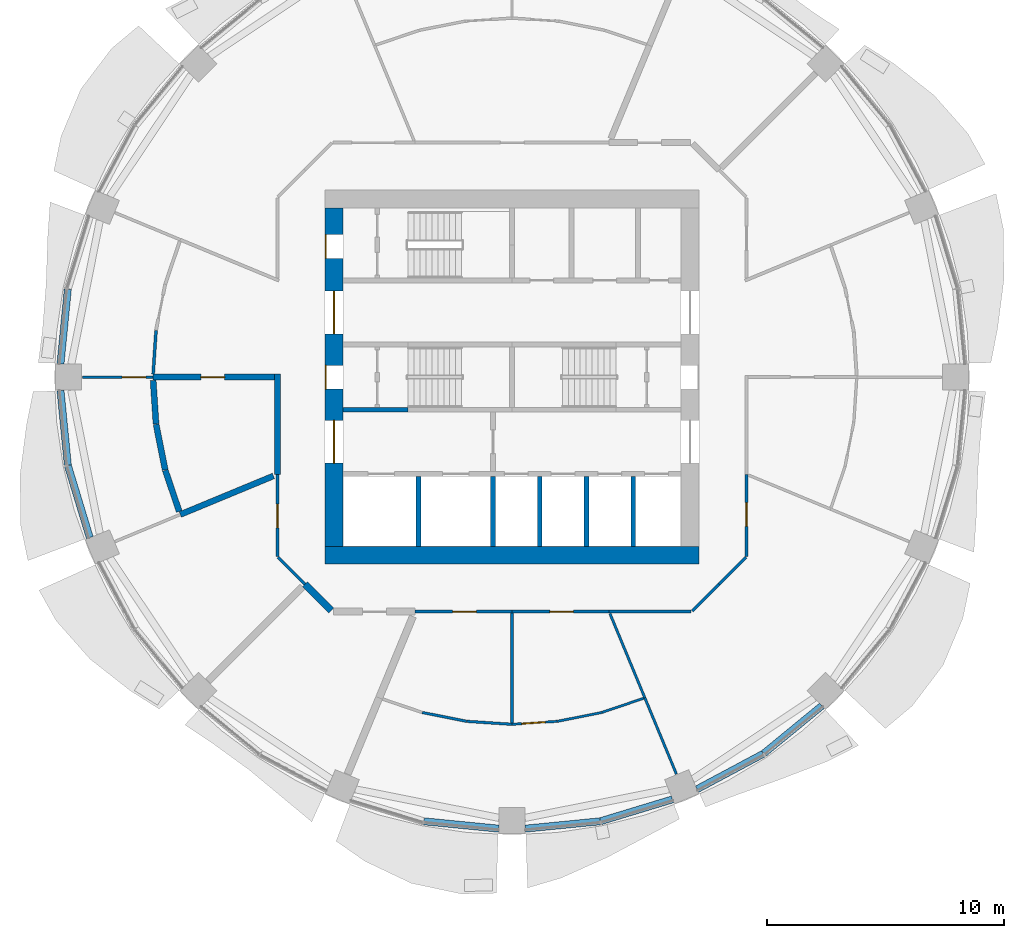
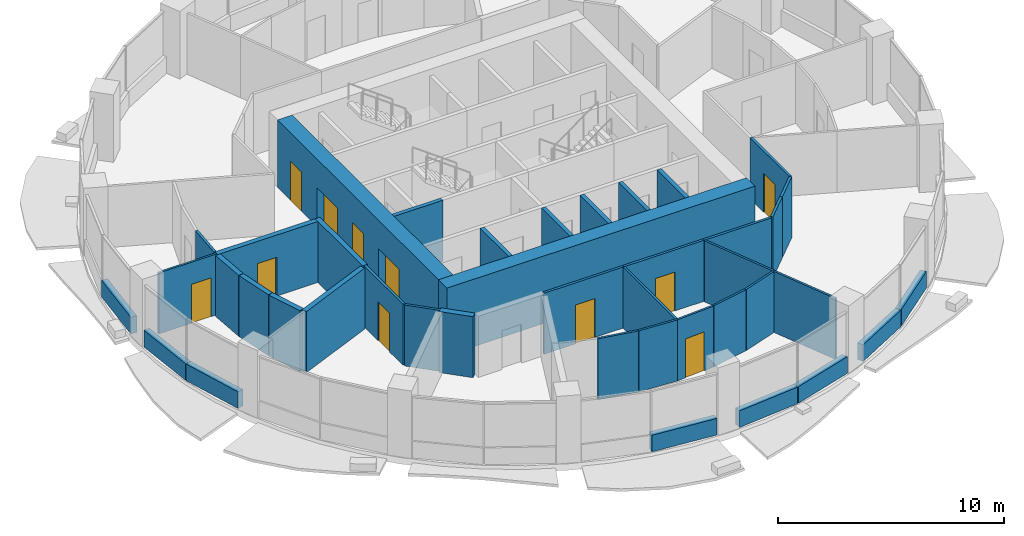
# One storey, part 7 of 14: 41 walls, 11 doors, 11 openings.
"""IFC4 building model written with IfcOpenShell, lengths in metres."""

import ifcopenshell
import ifcopenshell.guid

model = None  # the IFC model being written
_history = None  # IfcOwnerHistory: only IFC2X3 demands one
_inside = {}  # id of a spatial element -> (the spatial element, [elements in it])
_under = {}  # id of a project, library or spatial element -> (it, [spatial elements below it])
_declared = {}  # id of a project -> (the project, [libraries it declares])
_typed = {}  # id of a type object -> (the type object, [elements of that type])
_made_of = {}  # id of a material, layer set ... -> (it, [elements and type objects made of it])


def new_model(schema):
    """Start an empty IFC model of exactly this schema.

    Asked for "IFC4X3", IfcOpenShell would pick the latest addendum, in which some entities
    have other attributes; the version numbers below select the first issue.
    IFC2X3 requires an IfcOwnerHistory on every rooted entity: one is made here for all.
    """
    global model, _history
    if schema == "IFC4X3":
        model = ifcopenshell.file(schema_version=(4, 3, 0, 0))
    else:
        model = ifcopenshell.file(schema=schema)
    _inside.clear()
    _under.clear()
    _declared.clear()
    _typed.clear()
    _made_of.clear()
    _history = None
    if model.schema == "IFC2X3":
        org = make("IfcOrganization", Name="unknown")
        user = make(
            "IfcPersonAndOrganization",
            ThePerson=make("IfcPerson", FamilyName="unknown"),
            TheOrganization=org,
        )
        app = make(
            "IfcApplication",
            ApplicationDeveloper=org,
            Version="unknown",
            ApplicationFullName="unknown",
            ApplicationIdentifier="unknown",
        )
        _history = make(
            "IfcOwnerHistory",
            OwningUser=user,
            OwningApplication=app,
            ChangeAction="ADDED",
            CreationDate=0,
        )
    return model


def make(cls, **values):
    """One entity of the class cls with the attributes given. An attribute that is None is left unset."""
    return model.create_entity(
        cls, **{name: value for name, value in values.items() if value is not None}
    )


def rooted(cls, **values):
    """An entity with a GlobalId (a new one), such as an element, a storey or a relation."""
    return make(cls, GlobalId=ifcopenshell.guid.new(), OwnerHistory=_history, **values)


def si_unit(unit_type, name, prefix=None):
    """IfcSIUnit, for example si_unit("LENGTHUNIT", "METRE", prefix="MILLI")."""
    return make("IfcSIUnit", UnitType=unit_type, Prefix=prefix, Name=name)


def assignment(units):
    """IfcUnitAssignment: the units of a project."""
    return None if units is None else make("IfcUnitAssignment", Units=units)


def point(xyz):
    """IfcCartesianPoint."""
    return None if xyz is None else make("IfcCartesianPoint", Coordinates=xyz)


def direction(xyz):
    """IfcDirection."""
    return None if xyz is None else make("IfcDirection", DirectionRatios=xyz)


def frame(location, z_axis=None, x_axis=None):
    """IfcAxis2Placement3D, a coordinate frame: its origin and axes. An axis left out is left unset."""
    return make(
        "IfcAxis2Placement3D",
        Location=point(location),
        Axis=direction(z_axis),
        RefDirection=direction(x_axis),
    )


def frame_2d(location, x_axis=None):
    """IfcAxis2Placement2D, a coordinate frame in the plane: its origin and x axis."""
    return make(
        "IfcAxis2Placement2D", Location=point(location), RefDirection=direction(x_axis)
    )


def origin():
    """The frame at (0, 0, 0) with its axes left unset."""
    return frame((0.0, 0.0, 0.0))


def place(relative_to, where):
    """IfcLocalPlacement: puts the frame where relative to a parent placement (None: the world)."""
    return make(
        "IfcLocalPlacement", PlacementRelTo=relative_to, RelativePlacement=where
    )


def context(
    kind, dimensions, precision=None, world=None, true_north=None, identifier=None
):
    """IfcGeometricRepresentationContext, for example the 3D "Model" context."""
    return make(
        "IfcGeometricRepresentationContext",
        ContextIdentifier=identifier,
        ContextType=kind,
        CoordinateSpaceDimension=dimensions,
        Precision=precision,
        WorldCoordinateSystem=world,
        TrueNorth=true_north,
    )


def subcontext(parent, identifier, kind, view, scale=None):
    """IfcGeometricRepresentationSubContext, for example "Body" below "Model"."""
    return make(
        "IfcGeometricRepresentationSubContext",
        ContextIdentifier=identifier,
        ContextType=kind,
        ParentContext=parent,
        TargetScale=scale,
        TargetView=view,
    )


def project(units=None, contexts=None):
    """IfcProject with its units and contexts."""
    return rooted(
        "IfcProject",
        Name="project",
        RepresentationContexts=contexts,
        UnitsInContext=assignment(units),
    )


def spatial(cls, under=None, at=None, **own):
    """A site, building, storey or space (cls), placed at a placement, below another one or the project."""
    s = rooted(cls, ObjectPlacement=at, **own)
    if under is not None:
        _under.setdefault(under.id(), (under, []))[1].append(s)
    return s


def profile(cls, at=None, kind="AREA", **sizes):
    """A parametric profile (cls). Its sizes go by their IFC names, for example OverallWidth=200.0."""
    return make(cls, ProfileType=kind, Position=at, **sizes)


def rectangle(**sizes):
    """IfcRectangleProfileDef."""
    return profile("IfcRectangleProfileDef", **sizes)


def extrude(swept, where, along, depth):
    """IfcExtrudedAreaSolid: the profile swept, set in the frame where, extruded along a direction by depth."""
    return make(
        "IfcExtrudedAreaSolid",
        SweptArea=swept,
        Position=where,
        ExtrudedDirection=direction(along),
        Depth=depth,
    )


def shape(context_of_items, identifier, shape_type, items):
    """IfcShapeRepresentation: the items that make up one representation, for example the "Body"."""
    return make(
        "IfcShapeRepresentation",
        ContextOfItems=context_of_items,
        RepresentationIdentifier=identifier,
        RepresentationType=shape_type,
        Items=items,
    )


def material(Name=None, Category=None):
    """IfcMaterial."""
    return make("IfcMaterial", Name=Name, Category=Category)


def layer(
    of_material, thickness, ventilated=None, Name=None, Category=None, Priority=None
):
    """IfcMaterialLayer: one layer of a wall or slab, of a material (None: an air gap)."""
    return make(
        "IfcMaterialLayer",
        Material=of_material,
        LayerThickness=thickness,
        IsVentilated=ventilated,
        Name=Name,
        Category=Category,
        Priority=Priority,
    )


def layer_set(layers, Name=None):
    """IfcMaterialLayerSet."""
    return make("IfcMaterialLayerSet", MaterialLayers=layers, LayerSetName=Name)


def made_of(thing, what):
    """Note that an element or type object is made of a material, layer set ...; save() writes the relation."""
    if what is not None:
        _made_of.setdefault(what.id(), (what, []))[1].append(thing)
    return thing


def type_object(cls, material=None, **own):
    """A type object (cls), such as IfcWallType, which elements share."""
    return made_of(rooted(cls, **own), material)


def element(
    cls,
    number,
    at=None,
    inside=None,
    cuts=None,
    type_object=None,
    material=None,
    context=None,
    identifier="Body",
    shape_type=None,
    held_by="IfcProductDefinitionShape",
    body=None,
    shapes=None,
    **own,
):
    """One element of the class cls, such as IfcWall. Its Tag is "e" and its number.

    at: its placement. inside: the storey or other place that contains it. cuts: it is an
    opening in that element (IfcRelVoidsElement). A single representation is given by context,
    identifier, shape_type and body (its items); several are given by shapes. held_by: the class
    of the entity that holds the representations. save() writes the other relations.
    """
    e = rooted(cls, Tag="e%d" % number, ObjectPlacement=at, **own)
    if body is not None:
        shapes = [shape(context, identifier, shape_type, body)]
    if shapes is not None:
        e.Representation = make(held_by, Representations=shapes)
    if inside is not None:
        _inside.setdefault(inside.id(), (inside, []))[1].append(e)
    if cuts is not None:
        rooted(
            "IfcRelVoidsElement", RelatingBuildingElement=cuts, RelatedOpeningElement=e
        )
    if type_object is not None:
        _typed.setdefault(type_object.id(), (type_object, []))[1].append(e)
    return made_of(e, material)


def fill(opening, filler):
    """IfcRelFillsElement: the door or window that sits in an opening."""
    return rooted(
        "IfcRelFillsElement",
        RelatingOpeningElement=opening,
        RelatedBuildingElement=filler,
    )


def aggregate(whole, parts):
    """IfcRelAggregates: a whole, such as a stair, and the parts it consists of."""
    return rooted("IfcRelAggregates", RelatingObject=whole, RelatedObjects=parts)


def save(model, path):
    """Write the relations noted so far, then the file.

    IfcRelAggregates (storeys below a building ...), IfcRelContainedInSpatialStructure (elements
    in a storey), IfcRelDefinesByType, IfcRelAssociatesMaterial and IfcRelDeclares: one each for
    every whole, place, type object, material and project.
    """
    for whole, parts in _under.values():
        aggregate(whole, parts)
    for where, things in _inside.values():
        rooted(
            "IfcRelContainedInSpatialStructure",
            RelatedElements=things,
            RelatingStructure=where,
        )
    for kind, things in _typed.values():
        rooted("IfcRelDefinesByType", RelatedObjects=things, RelatingType=kind)
    for what, things in _made_of.values():
        rooted("IfcRelAssociatesMaterial", RelatedObjects=things, RelatingMaterial=what)
    for by, libraries in _declared.values():
        rooted("IfcRelDeclares", RelatingContext=by, RelatedDefinitions=libraries)
    model.write(path)


model = new_model("IFC4")

# Units and contexts
model_context = context("Model", 3, precision=1e-05, world=origin(), true_north=direction((0.0, 1.0)))
body_context = subcontext(model_context, "Body", "Model", "MODEL_VIEW")
ifc_project = project(units=[si_unit("LENGTHUNIT", "METRE"), si_unit("AREAUNIT", "SQUARE_METRE"), si_unit("VOLUMEUNIT", "CUBIC_METRE"), si_unit("PLANEANGLEUNIT", "RADIAN"), si_unit("MASSUNIT", "GRAM", prefix="KILO")], contexts=[model_context])

# Site, building, storey
site_placement = place(None, origin())
site = spatial("IfcSite", under=ifc_project, at=site_placement, CompositionType="ELEMENT")
building_placement = place(site_placement, origin())
building = spatial("IfcBuilding", under=site, at=building_placement, Name="Polderwave Tower", CompositionType="ELEMENT")
storey_placement = place(building_placement, frame((0.0, 0.0, 101.949951171875)))
storey = spatial("IfcBuildingStorey", under=building, at=storey_placement, Name="L26", CompositionType="ELEMENT", Elevation=101.949951171875)

# Wall
ifc_material_1 = material(Name="Concrete C70/85", Category="concrete")
ifc_layer_1 = layer(ifc_material_1, 0.75)
ifc_layer_set_1 = layer_set([ifc_layer_1], Name="CORE WALL 750 C70/85")
wall_type_1 = type_object("IfcWallType", Name="CORE WALL 750 C70/85", PredefinedType="SHEAR", material=ifc_layer_set_1)
wall_1_placement = place(storey_placement, frame((-7.8740234375, -7.4990234375, 0.0), z_axis=(0.0, 0.0, 1.0), x_axis=(1.0, 0.0, 0.0)))
element("IfcWall", 1, at=wall_1_placement, inside=storey, type_object=wall_type_1, Name="ST-CORE-L26-S", PredefinedType="SHEAR", context=body_context, shape_type="SweptSolid", body=[
    extrude(rectangle(XDim=15.748046875, YDim=0.75, at=frame_2d((7.8740234375, 0.0))), origin(), (0.0, 0.0, 1.0), 3.650146484375),
])

# Wall, openings, doors
wall_2_placement = place(storey_placement, frame((-7.4990234375, -7.1240234375, 0.0), z_axis=(0.0, 0.0, 1.0), x_axis=(0.0, 1.0, 0.0)))
wall_2 = element("IfcWall", 2, at=wall_2_placement, inside=storey, type_object=wall_type_1, Name="ST-CORE-L26-W", PredefinedType="SHEAR", context=body_context, shape_type="SweptSolid", body=[
    extrude(rectangle(XDim=14.248046875, YDim=0.75, at=frame_2d((7.1240234375, 0.0))), origin(), (0.0, 0.0, 1.0), 3.650146484375),
])
opening_1_placement = place(wall_2_placement, frame((6.6240234375, 0.0, 0.0)))
opening_1 = element("IfcOpeningElement", 3, at=opening_1_placement, cuts=wall_2, Name="Opening L26-D17", PredefinedType="OPENING", context=body_context, shape_type="SweptSolid", body=[
    extrude(rectangle(XDim=1.0, YDim=2.10009765625, at=frame_2d((0.5, 1.050048828125))), frame((0.0, 0.385009765625, 0.0), z_axis=(0.0, -1.0, 0.0), x_axis=(1.0, 0.0, 0.0)), (0.0, 0.0, 1.0), 0.77001953125),
])
opening_2_placement = place(wall_2_placement, frame((3.49951171875, 0.0, 0.0)))
opening_2 = element("IfcOpeningElement", 4, at=opening_2_placement, cuts=wall_2, Name="Opening L26-D18", PredefinedType="OPENING", context=body_context, shape_type="SweptSolid", body=[
    extrude(rectangle(XDim=1.800048828125, YDim=2.10009765625, at=frame_2d((0.89990234375, 1.050048828125))), frame((0.0, 0.385009765625, 0.0), z_axis=(0.0, -1.0, 0.0), x_axis=(1.0, 0.0, 0.0)), (0.0, 0.0, 1.0), 0.77001953125),
])
opening_3_placement = place(wall_2_placement, frame((8.948486328125, 0.0, 0.0)))
opening_3 = element("IfcOpeningElement", 5, at=opening_3_placement, cuts=wall_2, Name="Opening L26-D19", PredefinedType="OPENING", context=body_context, shape_type="SweptSolid", body=[
    extrude(rectangle(XDim=1.800048828125, YDim=2.10009765625, at=frame_2d((0.89990234375, 1.050048828125))), frame((0.0, 0.385009765625, 0.0), z_axis=(0.0, -1.0, 0.0), x_axis=(1.0, 0.0, 0.0)), (0.0, 0.0, 1.0), 0.77001953125),
])
opening_4_placement = place(wall_2_placement, frame((12.1240234375, 0.0, 0.0)))
opening_4 = element("IfcOpeningElement", 6, at=opening_4_placement, cuts=wall_2, Name="Opening L26-D20", PredefinedType="OPENING", context=body_context, shape_type="SweptSolid", body=[
    extrude(rectangle(XDim=1.0, YDim=2.10009765625, at=frame_2d((0.5, 1.050048828125))), frame((0.0, 0.385009765625, 0.0), z_axis=(0.0, -1.0, 0.0), x_axis=(1.0, 0.0, 0.0)), (0.0, 0.0, 1.0), 0.77001953125),
])
ifc_material_2 = material(Name="Steel fire door", Category="steel")
door_type_1 = type_object("IfcDoorType", Name="Lobby entry door pair 1800", OperationType="DOUBLE_DOOR_SINGLE_SWING", PredefinedType="DOOR", material=ifc_material_2)
door_1_placement = place(opening_2_placement, origin())
door_1 = element("IfcDoor", 7, at=door_1_placement, inside=storey, type_object=door_type_1, Name="Fire-fighting lobby entry door", OperationType="DOUBLE_DOOR_SINGLE_SWING", OverallHeight=2.10009765625, OverallWidth=1.800048828125, PredefinedType="DOOR", context=body_context, shape_type="SweptSolid", body=[
    extrude(rectangle(XDim=1.800048828125, YDim=2.10009765625, at=frame_2d((0.89990234375, 1.050048828125))), frame((0.0, 0.02490234375, 0.0), z_axis=(0.0, -1.0, 0.0), x_axis=(1.0, 0.0, 0.0)), (0.0, 0.0, 1.0), 0.050048828125),
])
fill(opening_2, door_1)
door_2_placement = place(opening_3_placement, origin())
door_2 = element("IfcDoor", 8, at=door_2_placement, inside=storey, type_object=door_type_1, Name="North lobby entry door", OperationType="DOUBLE_DOOR_SINGLE_SWING", OverallHeight=2.10009765625, OverallWidth=1.800048828125, PredefinedType="DOOR", context=body_context, shape_type="SweptSolid", body=[
    extrude(rectangle(XDim=1.800048828125, YDim=2.10009765625, at=frame_2d((0.89990234375, 1.050048828125))), frame((0.0, 0.02490234375, 0.0), z_axis=(0.0, -1.0, 0.0), x_axis=(1.0, 0.0, 0.0)), (0.0, 0.0, 1.0), 0.050048828125),
])
fill(opening_3, door_2)
door_type_2 = type_object("IfcDoorType", Name="Stair door 1000", OperationType="NOTDEFINED", PredefinedType="DOOR", material=ifc_material_2)
door_3_placement = place(opening_1_placement, origin())
door_3 = element("IfcDoor", 9, at=door_3_placement, inside=storey, type_object=door_type_2, Name="Stair A entry door", OperationType="SINGLE_SWING_RIGHT", OverallHeight=2.10009765625, OverallWidth=1.0, PredefinedType="DOOR", context=body_context, shape_type="SweptSolid", body=[
    extrude(rectangle(XDim=1.0, YDim=2.10009765625, at=frame_2d((0.5, 1.050048828125))), frame((0.0, 0.375, 0.0), z_axis=(0.0, -1.0, 0.0), x_axis=(1.0, 0.0, 0.0)), (0.0, 0.0, 1.0), 0.050048828125),
])
fill(opening_1, door_3)
door_4_placement = place(opening_4_placement, origin())
door_4 = element("IfcDoor", 10, at=door_4_placement, inside=storey, type_object=door_type_2, Name="Stair C entry door", OperationType="SINGLE_SWING_RIGHT", OverallHeight=2.10009765625, OverallWidth=1.0, PredefinedType="DOOR", context=body_context, shape_type="SweptSolid", body=[
    extrude(rectangle(XDim=1.0, YDim=2.10009765625, at=frame_2d((0.5, 1.050048828125))), frame((0.0, 0.375, 0.0), z_axis=(0.0, -1.0, 0.0), x_axis=(1.0, 0.0, 0.0)), (0.0, 0.0, 1.0), 0.050048828125),
])
fill(opening_4, door_4)

# Walls
ifc_material_3 = material(Name="Insulated sandwich panel")
ifc_layer_2 = layer(ifc_material_3, 0.300048828125)
ifc_layer_set_2 = layer_set([ifc_layer_2], Name="Cold room wall 300 mm insulated panel")
wall_type_2 = type_object("IfcWallType", Name="Cold room wall 300 mm insulated panel", PredefinedType="PARTITIONING", material=ifc_layer_set_2)
wall_3_placement = place(storey_placement, frame((-7.614990234375, -9.830078125, 0.0), z_axis=(0.0, 0.0, 1.0), x_axis=(-0.707028841614, 0.70718471217, 0.0)))
element("IfcWall", 11, at=wall_3_placement, inside=storey, type_object=wall_type_2, Name="IN-L26-W016", PredefinedType="PARTITIONING", context=body_context, shape_type="SweptSolid", body=[
    extrude(rectangle(XDim=1.56640625, YDim=0.300048828125, at=frame_2d((0.783203125, 0.0))), origin(), (0.0, 0.0, 1.0), 3.300048828125),
])
ifc_material_4 = material(Name="Concrete C50/60 (board-marked)", Category="concrete")
ifc_layer_3 = layer(ifc_material_4, 0.300048828125)
ifc_layer_set_3 = layer_set([ifc_layer_3], Name="Concrete spandrel upstand C50/60")
wall_type_3 = type_object("IfcWallType", Name="Concrete spandrel upstand C50/60", PredefinedType="SOLIDWALL", material=ifc_layer_set_3)
for number, where, z_axis, x_axis, name in (
    (12, (-18.70556640625, 3.705078125, 0.0), (0.0, 0.0, 1.0), (-0.097849336863, -0.995201239587, 0.0), "Spandrel L26 8b"),
    (13, (-19.014404296875, -0.56396484375, 0.0), (0.0, 0.0, 1.0), (0.097849336863, -0.995201239587, 0.0), "Spandrel L26 9a"),
):
    element("IfcWall", number, at=place(storey_placement, frame(where, z_axis=z_axis, x_axis=x_axis)), inside=storey, type_object=wall_type_3, Name=name, PredefinedType="SOLIDWALL", context=body_context, shape_type="SweptSolid", body=[
        extrude(rectangle(XDim=3.15625, YDim=0.300048828125, at=frame_2d((1.578125, 0.0))), origin(), (0.0, 0.0, 1.0), 0.900146484375),
    ])
wall_4_placement = place(storey_placement, frame((-18.69970703125, -3.734375, 0.0), z_axis=(0.0, 0.0, 1.0), x_axis=(0.290503096001, -0.956874051907, 0.0)))
element("IfcWall", 14, at=wall_4_placement, inside=storey, type_object=wall_type_3, Name="Spandrel L26 9b", PredefinedType="SOLIDWALL", context=body_context, shape_type="SweptSolid", body=[
    extrude(rectangle(XDim=3.157470703125, YDim=0.300048828125, at=frame_2d((1.57861328125, 0.0))), origin(), (0.0, 0.0, 1.0), 0.900146484375),
])
for number, where, z_axis, x_axis, name in (
    (15, (-3.705078125, -18.70556640625, 0.0), (0.0, 0.0, 1.0), (0.995201239587, -0.097849336863, 0.0), "Spandrel L26 12b"),
    (16, (0.56396484375, -19.014404296875, 0.0), (0.0, 0.0, 1.0), (0.995201239587, 0.097849336863, 0.0), "Spandrel L26 13a"),
):
    element("IfcWall", number, at=place(storey_placement, frame(where, z_axis=z_axis, x_axis=x_axis)), inside=storey, type_object=wall_type_3, Name=name, PredefinedType="SOLIDWALL", context=body_context, shape_type="SweptSolid", body=[
        extrude(rectangle(XDim=3.15625, YDim=0.300048828125, at=frame_2d((1.578125, 0.0))), origin(), (0.0, 0.0, 1.0), 0.900146484375),
    ])
wall_5_placement = place(storey_placement, frame((3.734375, -18.69970703125, 0.0), z_axis=(0.0, 0.0, 1.0), x_axis=(0.956874051907, 0.290503096001, 0.0)))
element("IfcWall", 17, at=wall_5_placement, inside=storey, type_object=wall_type_3, Name="Spandrel L26 13b", PredefinedType="SOLIDWALL", context=body_context, shape_type="SweptSolid", body=[
    extrude(rectangle(XDim=3.157470703125, YDim=0.300048828125, at=frame_2d((1.57861328125, 0.0))), origin(), (0.0, 0.0, 1.0), 0.900146484375),
])
for number, where, z_axis, x_axis, name in (
    (18, (7.797119140625, -17.350830078125, 0.0), (0.0, 0.0, 1.0), (0.882005928597, 0.471238306932, 0.0), "Spandrel L26 14a"),
    (19, (10.606689453125, -15.846435546875, 0.0), (0.0, 0.0, 1.0), (0.773022810229, 0.63437822698, 0.0), "Spandrel L26 14b"),
):
    element("IfcWall", number, at=place(storey_placement, frame(where, z_axis=z_axis, x_axis=x_axis)), inside=storey, type_object=wall_type_3, Name=name, PredefinedType="SOLIDWALL", context=body_context, shape_type="SweptSolid", body=[
        extrude(rectangle(XDim=3.1572265625, YDim=0.300048828125, at=frame_2d((1.57861328125, 0.0))), origin(), (0.0, 0.0, 1.0), 0.900146484375),
    ])
ifc_material_5 = material(Name="Concrete C50/60", Category="concrete")
ifc_layer_4 = layer(ifc_material_5, 0.199951171875)
ifc_layer_set_4 = layer_set([ifc_layer_4], Name="Core web wall 200")
wall_type_4 = type_object("IfcWallType", Name="Core web wall 200", PredefinedType="SHEAR", material=ifc_layer_set_4)
wall_6_placement = place(storey_placement, frame((-7.1240234375, -1.375, 0.0), z_axis=(0.0, 0.0, 1.0), x_axis=(1.0, 0.0, 0.0)))
element("IfcWall", 20, at=wall_6_placement, inside=storey, type_object=wall_type_4, Name="L26 south stair wall 1", PredefinedType="SHEAR", context=body_context, shape_type="SweptSolid", body=[
    extrude(rectangle(XDim=2.75, YDim=0.199951171875, at=frame_2d((1.375, 0.0))), origin(), (0.0, 0.0, 1.0), 3.300048828125),
])
ifc_material_6 = material(Name="Fire-resisting board on steel studs", Category="steel")
ifc_layer_5 = layer(ifc_material_6, 0.125)
ifc_layer_set_5 = layer_set([ifc_layer_5], Name="Corridor wall 125 mm EI 60")
wall_type_5 = type_object("IfcWallType", Name="Corridor wall 125 mm EI 60", PredefinedType="PARTITIONING", material=ifc_layer_set_5)
wall_7_placement = place(storey_placement, frame((9.855712890625, -7.58935546875, 0.0), z_axis=(0.0, 0.0, 1.0), x_axis=(-0.70718294931, -0.707030604857, 0.0)))
element("IfcWall", 21, at=wall_7_placement, inside=storey, type_object=wall_type_5, Name="IN-L26-W003", PredefinedType="PARTITIONING", context=body_context, shape_type="SweptSolid", body=[
    extrude(rectangle(XDim=1.6025390625, YDim=0.125, at=frame_2d((0.80126953125, 0.0))), origin(), (0.0, 0.0, 1.0), 3.300048828125),
])

# Wall, opening, door
wall_8_placement = place(storey_placement, frame((9.8740234375, -4.08984375, 0.0), z_axis=(0.0, 0.0, 1.0), x_axis=(0.0, -1.0, 0.0)))
wall_8 = element("IfcWall", 22, at=wall_8_placement, inside=storey, type_object=wall_type_5, Name="IN-L26-W004", PredefinedType="PARTITIONING", context=body_context, shape_type="SweptSolid", body=[
    extrude(rectangle(XDim=3.455322265625, YDim=0.125, at=frame_2d((1.7275390625, 0.0))), origin(), (0.0, 0.0, 1.0), 3.300048828125),
])
opening_5_placement = place(wall_8_placement, frame((1.199951171875, 0.0, 0.0)))
opening_5 = element("IfcOpeningElement", 23, at=opening_5_placement, cuts=wall_8, Name="Opening L26-D51", PredefinedType="OPENING", context=body_context, shape_type="SweptSolid", body=[
    extrude(rectangle(XDim=1.0, YDim=2.10009765625, at=frame_2d((0.5, 1.050048828125))), frame((0.0, 0.072509765625, 0.0), z_axis=(0.0, -1.0, 0.0), x_axis=(1.0, 0.0, 0.0)), (0.0, 0.0, 1.0), 0.14501953125),
])
ifc_material_7 = material(Name="Timber fire door leaf", Category="wood")
door_type_3 = type_object("IfcDoorType", Name="Fire door FD30S 1000 x 2100", OperationType="NOTDEFINED", PredefinedType="DOOR", material=ifc_material_7)
door_5_placement = place(opening_5_placement, origin())
door_5 = element("IfcDoor", 24, at=door_5_placement, inside=storey, type_object=door_type_3, Name="Door L26-D51", OperationType="SINGLE_SWING_LEFT", OverallHeight=2.10009765625, OverallWidth=1.0, PredefinedType="DOOR", context=body_context, shape_type="SweptSolid", body=[
    extrude(rectangle(XDim=1.0, YDim=2.10009765625, at=frame_2d((0.5, 1.050048828125))), frame((0.0, 0.02490234375, 0.0), z_axis=(0.0, -1.0, 0.0), x_axis=(1.0, 0.0, 0.0)), (0.0, 0.0, 1.0), 0.050048828125),
])
fill(opening_5, door_5)

wall_9_placement = place(storey_placement, frame((-9.8740234375, -7.545166015625, 0.0), z_axis=(0.0, 0.0, 1.0), x_axis=(0.0, 1.0, 0.0)))
wall_9 = element("IfcWall", 25, at=wall_9_placement, inside=storey, type_object=wall_type_5, Name="IN-L26-W014", PredefinedType="PARTITIONING", context=body_context, shape_type="SweptSolid", body=[
    extrude(rectangle(XDim=3.455322265625, YDim=0.125, at=frame_2d((1.7275390625, 0.0))), origin(), (0.0, 0.0, 1.0), 3.300048828125),
])
opening_6_placement = place(wall_9_placement, frame((1.199951171875, 0.0, 0.0)))
opening_6 = element("IfcOpeningElement", 26, at=opening_6_placement, cuts=wall_9, Name="Opening L26-D55", PredefinedType="OPENING", context=body_context, shape_type="SweptSolid", body=[
    extrude(rectangle(XDim=1.0, YDim=2.10009765625, at=frame_2d((0.5, 1.050048828125))), frame((0.0, 0.072509765625, 0.0), z_axis=(0.0, -1.0, 0.0), x_axis=(1.0, 0.0, 0.0)), (0.0, 0.0, 1.0), 0.14501953125),
])
door_6_placement = place(opening_6_placement, origin())
door_6 = element("IfcDoor", 27, at=door_6_placement, inside=storey, type_object=door_type_3, Name="Door L26-D55", OperationType="SINGLE_SWING_LEFT", OverallHeight=2.10009765625, OverallWidth=1.0, PredefinedType="DOOR", context=body_context, shape_type="SweptSolid", body=[
    extrude(rectangle(XDim=1.0, YDim=2.10009765625, at=frame_2d((0.5, 1.050048828125))), frame((0.0, 0.02490234375, 0.0), z_axis=(0.0, -1.0, 0.0), x_axis=(1.0, 0.0, 0.0)), (0.0, 0.0, 1.0), 0.050048828125),
])
fill(opening_6, door_6)

# Wall
wall_10_placement = place(storey_placement, frame((-8.722412109375, -8.722412109375, 0.0), z_axis=(0.0, 0.0, 1.0), x_axis=(-0.70718294931, 0.707030604857, 0.0)))
element("IfcWall", 28, at=wall_10_placement, inside=storey, type_object=wall_type_5, Name="IN-L26-W015", PredefinedType="PARTITIONING", context=body_context, shape_type="SweptSolid", body=[
    extrude(rectangle(XDim=1.6025390625, YDim=0.125, at=frame_2d((0.80126953125, 0.0))), origin(), (0.0, 0.0, 1.0), 3.300048828125),
])

# Wall, opening, door
wall_11_placement = place(storey_placement, frame((0.0, -9.8740234375, 0.0), z_axis=(0.0, 0.0, 1.0), x_axis=(-1.0, 0.0, 0.0)))
wall_11 = element("IfcWall", 29, at=wall_11_placement, inside=storey, type_object=wall_type_5, Name="IN-L26-W018", PredefinedType="PARTITIONING", context=body_context, shape_type="SweptSolid", body=[
    extrude(rectangle(XDim=4.08984375, YDim=0.125, at=frame_2d((2.044921875, 0.0))), origin(), (0.0, 0.0, 1.0), 3.300048828125),
])
opening_7_placement = place(wall_11_placement, frame((1.5, 0.0, 0.0)))
opening_7 = element("IfcOpeningElement", 30, at=opening_7_placement, cuts=wall_11, Name="Opening L26-D57", PredefinedType="OPENING", context=body_context, shape_type="SweptSolid", body=[
    extrude(rectangle(XDim=1.0, YDim=2.10009765625, at=frame_2d((0.5, 1.050048828125))), frame((0.0, 0.072509765625, 0.0), z_axis=(0.0, -1.0, 0.0), x_axis=(1.0, 0.0, 0.0)), (0.0, 0.0, 1.0), 0.14501953125),
])
door_7_placement = place(opening_7_placement, origin())
door_7 = element("IfcDoor", 31, at=door_7_placement, inside=storey, type_object=door_type_3, Name="Door L26-D57", OperationType="SINGLE_SWING_LEFT", OverallHeight=2.10009765625, OverallWidth=1.0, PredefinedType="DOOR", context=body_context, shape_type="SweptSolid", body=[
    extrude(rectangle(XDim=1.0, YDim=2.10009765625, at=frame_2d((0.5, 1.050048828125))), frame((0.0, 0.02490234375, 0.0), z_axis=(0.0, -1.0, 0.0), x_axis=(1.0, 0.0, 0.0)), (0.0, 0.0, 1.0), 0.050048828125),
])
fill(opening_7, door_7)

wall_12_placement = place(storey_placement, frame((4.08984375, -9.8740234375, 0.0), z_axis=(0.0, 0.0, 1.0), x_axis=(-1.0, 0.0, 0.0)))
wall_12 = element("IfcWall", 32, at=wall_12_placement, inside=storey, type_object=wall_type_5, Name="IN-L26-W019", PredefinedType="PARTITIONING", context=body_context, shape_type="SweptSolid", body=[
    extrude(rectangle(XDim=4.08984375, YDim=0.125, at=frame_2d((2.044921875, 0.0))), origin(), (0.0, 0.0, 1.0), 3.300048828125),
])
opening_8_placement = place(wall_12_placement, frame((1.5, 0.0, 0.0)))
opening_8 = element("IfcOpeningElement", 33, at=opening_8_placement, cuts=wall_12, Name="Opening L26-D58", PredefinedType="OPENING", context=body_context, shape_type="SweptSolid", body=[
    extrude(rectangle(XDim=1.0, YDim=2.10009765625, at=frame_2d((0.5, 1.050048828125))), frame((0.0, 0.072509765625, 0.0), z_axis=(0.0, -1.0, 0.0), x_axis=(1.0, 0.0, 0.0)), (0.0, 0.0, 1.0), 0.14501953125),
])
door_8_placement = place(opening_8_placement, origin())
door_8 = element("IfcDoor", 34, at=door_8_placement, inside=storey, type_object=door_type_3, Name="Door L26-D58", OperationType="SINGLE_SWING_LEFT", OverallHeight=2.10009765625, OverallWidth=1.0, PredefinedType="DOOR", context=body_context, shape_type="SweptSolid", body=[
    extrude(rectangle(XDim=1.0, YDim=2.10009765625, at=frame_2d((0.5, 1.050048828125))), frame((0.0, 0.02490234375, 0.0), z_axis=(0.0, -1.0, 0.0), x_axis=(1.0, 0.0, 0.0)), (0.0, 0.0, 1.0), 0.050048828125),
])
fill(opening_8, door_8)

# Walls
wall_13_placement = place(storey_placement, frame((7.545166015625, -9.8740234375, 0.0), z_axis=(0.0, 0.0, 1.0), x_axis=(-1.0, 0.0, 0.0)))
element("IfcWall", 35, at=wall_13_placement, inside=storey, type_object=wall_type_5, Name="IN-L26-W020", PredefinedType="PARTITIONING", context=body_context, shape_type="SweptSolid", body=[
    extrude(rectangle(XDim=3.455322265625, YDim=0.125, at=frame_2d((1.7275390625, 0.0))), origin(), (0.0, 0.0, 1.0), 3.300048828125),
])
wall_14_placement = place(storey_placement, frame((8.722412109375, -8.722412109375, 0.0), z_axis=(0.0, 0.0, 1.0), x_axis=(-0.707030604857, -0.70718294931, 0.0)))
element("IfcWall", 36, at=wall_14_placement, inside=storey, type_object=wall_type_5, Name="IN-L26-W021", PredefinedType="PARTITIONING", context=body_context, shape_type="SweptSolid", body=[
    extrude(rectangle(XDim=1.6025390625, YDim=0.125, at=frame_2d((0.80126953125, 0.0))), origin(), (0.0, 0.0, 1.0), 3.300048828125),
])
wall_15_placement = place(storey_placement, frame((-15.111572265625, 0.129150390625, 0.0), z_axis=(0.0, 0.0, 1.0), x_axis=(0.065394347625, 0.997859498777, 0.0)))
element("IfcWall", 37, at=wall_15_placement, inside=storey, type_object=wall_type_5, Name="IN-L26-W043", PredefinedType="PARTITIONING", context=body_context, shape_type="SweptSolid", body=[
    extrude(rectangle(XDim=1.84423828125, YDim=0.125, at=frame_2d((0.922119140625, 0.0))), origin(), (0.0, 0.0, 1.0), 3.300048828125),
])

# Wall, opening, door
ifc_material_8 = material(Name="Plasterboard on steel studs", Category="steel")
ifc_layer_6 = layer(ifc_material_8, 0.10009765625)
ifc_layer_set_6 = layer_set([ifc_layer_6], Name="Partition 100 mm plasterboard on steel studs")
wall_type_6 = type_object("IfcWallType", Name="Partition 100 mm plasterboard on steel studs", PredefinedType="PARTITIONING", material=ifc_layer_set_6)
wall_16_placement = place(storey_placement, frame((-15.1201171875, 0.0, 0.0), z_axis=(0.0, 0.0, 1.0), x_axis=(-1.0, 0.0, 0.0)))
wall_16 = element("IfcWall", 38, at=wall_16_placement, inside=storey, type_object=wall_type_6, Name="IN-L26-W047", PredefinedType="PARTITIONING", context=body_context, shape_type="SweptSolid", body=[
    extrude(rectangle(XDim=2.969970703125, YDim=0.10009765625, at=frame_2d((1.48486328125, 0.0))), origin(), (0.0, 0.0, 1.0), 3.300048828125),
])
opening_9_placement = place(wall_16_placement, frame((0.300048828125, 0.0, 0.0)))
opening_9 = element("IfcOpeningElement", 39, at=opening_9_placement, cuts=wall_16, Name="Opening L26-D65", PredefinedType="OPENING", context=body_context, shape_type="SweptSolid", body=[
    extrude(rectangle(XDim=1.0, YDim=2.10009765625, at=frame_2d((0.5, 1.050048828125))), frame((0.0, 0.06005859375, 0.0), z_axis=(0.0, -1.0, 0.0), x_axis=(1.0, 0.0, 0.0)), (0.0, 0.0, 1.0), 0.1201171875),
])
ifc_material_9 = material(Name="Timber veneer door leaf", Category="wood")
door_type_4 = type_object("IfcDoorType", Name="Single door 1000 x 2100", OperationType="NOTDEFINED", PredefinedType="DOOR", material=ifc_material_9)
door_9_placement = place(opening_9_placement, origin())
door_9 = element("IfcDoor", 40, at=door_9_placement, inside=storey, type_object=door_type_4, Name="Door L26-D65", OperationType="SINGLE_SWING_LEFT", OverallHeight=2.10009765625, OverallWidth=1.0, PredefinedType="DOOR", context=body_context, shape_type="SweptSolid", body=[
    extrude(rectangle(XDim=1.0, YDim=2.10009765625, at=frame_2d((0.5, 1.050048828125))), frame((0.0, 0.02490234375, 0.0), z_axis=(0.0, -1.0, 0.0), x_axis=(1.0, 0.0, 0.0)), (0.0, 0.0, 1.0), 0.050048828125),
])
fill(opening_9, door_9)

wall_17_placement = place(storey_placement, frame((1.905029296875, -14.4951171875, 0.0), z_axis=(0.0, 0.0, 1.0), x_axis=(-0.997854210562, -0.065474991133, 0.0)))
wall_17 = element("IfcWall", 41, at=wall_17_placement, inside=storey, type_object=wall_type_6, Name="IN-L26-W060", PredefinedType="PARTITIONING", context=body_context, shape_type="SweptSolid", body=[
    extrude(rectangle(XDim=1.9091796875, YDim=0.10009765625, at=frame_2d((0.95458984375, 0.0))), origin(), (0.0, 0.0, 1.0), 3.300048828125),
])
opening_10_placement = place(wall_17_placement, frame((0.5, 0.0, 0.0)))
opening_10 = element("IfcOpeningElement", 42, at=opening_10_placement, cuts=wall_17, Name="Opening L26-D66", PredefinedType="OPENING", context=body_context, shape_type="SweptSolid", body=[
    extrude(rectangle(XDim=1.0, YDim=2.10009765625, at=frame_2d((0.5, 1.050048828125))), frame((0.0, 0.06005859375, 0.0), z_axis=(0.0, -1.0, 0.0), x_axis=(1.0, 0.0, 0.0)), (0.0, 0.0, 1.0), 0.1201171875),
])
door_10_placement = place(opening_10_placement, origin())
door_10 = element("IfcDoor", 43, at=door_10_placement, inside=storey, type_object=door_type_4, Name="Door L26-D66", OperationType="SINGLE_SWING_RIGHT", OverallHeight=2.10009765625, OverallWidth=1.0, PredefinedType="DOOR", context=body_context, shape_type="SweptSolid", body=[
    extrude(rectangle(XDim=1.0, YDim=2.10009765625, at=frame_2d((0.5, 1.050048828125))), frame((0.0, 0.02490234375, 0.0), z_axis=(0.0, -1.0, 0.0), x_axis=(1.0, 0.0, 0.0)), (0.0, 0.0, 1.0), 0.050048828125),
])
fill(opening_10, door_10)

# Walls
wall_18_placement = place(storey_placement, frame((1.91162109375, -14.494384765625, 0.0), z_axis=(0.0, 0.0, 1.0), x_axis=(0.980757648215, 0.195229187027, 0.0)))
element("IfcWall", 44, at=wall_18_placement, inside=storey, type_object=wall_type_6, Name="IN-L26-W061", PredefinedType="PARTITIONING", context=body_context, shape_type="SweptSolid", body=[
    extrude(rectangle(XDim=1.90576171875, YDim=0.10009765625, at=frame_2d((0.952880859375, 0.0))), origin(), (0.0, 0.0, 1.0), 3.300048828125),
])
wall_19_placement = place(storey_placement, frame((3.787109375, -14.12060546875, 0.0), z_axis=(0.0, 0.0, 1.0), x_axis=(0.946970110486, 0.321321661029, 0.0)))
element("IfcWall", 45, at=wall_19_placement, inside=storey, type_object=wall_type_6, Name="IN-L26-W062", PredefinedType="PARTITIONING", context=body_context, shape_type="SweptSolid", body=[
    extrude(rectangle(XDim=1.853271484375, YDim=0.10009765625, at=frame_2d((0.9267578125, 0.0))), origin(), (0.0, 0.0, 1.0), 3.300048828125),
])
ifc_material_10 = material(Name="Moisture-resistant board on steel studs, tiled", Category="steel")
ifc_layer_7 = layer(ifc_material_10, 0.10498046875)
ifc_layer_set_7 = layer_set([ifc_layer_7], Name="Partition 105 mm wet room board and tile")
wall_type_7 = type_object("IfcWallType", Name="Partition 105 mm wet room board and tile", PredefinedType="PARTITIONING", material=ifc_layer_set_7)
wall_20_placement = place(storey_placement, frame((5.5947265625, -13.507080078125, 0.0), z_axis=(0.0, 0.0, 1.0), x_axis=(0.382681133009, -0.923880484932, 0.0)))
element("IfcWall", 46, at=wall_20_placement, inside=storey, type_object=wall_type_7, Name="IN-L26-W063", PredefinedType="PARTITIONING", context=body_context, shape_type="SweptSolid", body=[
    extrude(rectangle(XDim=3.469970703125, YDim=0.10498046875, at=frame_2d((1.73486328125, 0.0))), origin(), (0.0, 0.0, 1.0), 3.300048828125),
])
wall_21_placement = place(storey_placement, frame((4.1240234375, -9.95654296875, 0.0), z_axis=(0.0, 0.0, 1.0), x_axis=(0.382688429768, -0.923877462503, 0.0)))
element("IfcWall", 47, at=wall_21_placement, inside=storey, type_object=wall_type_7, Name="IN-L26-W064", PredefinedType="PARTITIONING", context=body_context, shape_type="SweptSolid", body=[
    extrude(rectangle(XDim=3.843017578125, YDim=0.10498046875, at=frame_2d((1.92138671875, 0.0))), origin(), (0.0, 0.0, 1.0), 3.300048828125),
])
ifc_material_11 = material(Name="Acoustic double plasterboard on steel studs", Category="steel")
ifc_layer_8 = layer(ifc_material_11, 0.110107421875)
ifc_layer_set_8 = layer_set([ifc_layer_8], Name="Partition 110 mm acoustic double board")
wall_type_8 = type_object("IfcWallType", Name="Partition 110 mm acoustic double board", PredefinedType="PARTITIONING", material=ifc_layer_set_8)
wall_22_placement = place(storey_placement, frame((-1.911865234375, -14.494140625, 0.0), z_axis=(0.0, 0.0, 1.0), x_axis=(-0.980796931486, 0.195031738924, 0.0)))
element("IfcWall", 48, at=wall_22_placement, inside=storey, type_object=wall_type_8, Name="IN-L26-W057", PredefinedType="PARTITIONING", context=body_context, shape_type="SweptSolid", body=[
    extrude(rectangle(XDim=1.9052734375, YDim=0.110107421875, at=frame_2d((0.95263671875, 0.0))), origin(), (0.0, 0.0, 1.0), 3.300048828125),
])
wall_23_placement = place(storey_placement, frame((0.0, -14.6201171875, 0.0), z_axis=(0.0, 0.0, 1.0), x_axis=(-0.997853662235, 0.065483347227, 0.0)))
element("IfcWall", 49, at=wall_23_placement, inside=storey, type_object=wall_type_8, Name="IN-L26-W058", PredefinedType="PARTITIONING", context=body_context, shape_type="SweptSolid", body=[
    extrude(rectangle(XDim=1.908935546875, YDim=0.110107421875, at=frame_2d((0.95458984375, 0.0))), origin(), (0.0, 0.0, 1.0), 3.300048828125),
])
wall_24_placement = place(storey_placement, frame((0.0, -9.9365234375, 0.0), z_axis=(0.0, 0.0, 1.0), x_axis=(0.0, -1.0, 0.0)))
element("IfcWall", 50, at=wall_24_placement, inside=storey, type_object=wall_type_8, Name="IN-L26-W059", PredefinedType="PARTITIONING", context=body_context, shape_type="SweptSolid", body=[
    extrude(rectangle(XDim=4.624755859375, YDim=0.110107421875, at=frame_2d((2.3125, 0.0))), origin(), (0.0, 0.0, 1.0), 3.300048828125),
])
ifc_material_12 = material(Name="Fire-resisting board on steel studs, mineral wool", Category="steel")
ifc_layer_9 = layer(ifc_material_12, 0.25)
ifc_layer_set_9 = layer_set([ifc_layer_9], Name="Plant room wall 250 mm EI 120")
wall_type_9 = type_object("IfcWallType", Name="Plant room wall 250 mm EI 120", PredefinedType="PARTITIONING", material=ifc_layer_set_9)
wall_25_placement = place(storey_placement, frame((-9.8740234375, -4.08984375, 0.0), z_axis=(0.0, 0.0, 1.0), x_axis=(0.0, 1.0, 0.0)))
element("IfcWall", 51, at=wall_25_placement, inside=storey, type_object=wall_type_9, Name="IN-L26-W013", PredefinedType="PARTITIONING", context=body_context, shape_type="SweptSolid", body=[
    extrude(rectangle(XDim=4.21484375, YDim=0.25, at=frame_2d((2.107421875, 0.0))), origin(), (0.0, 0.0, 1.0), 3.300048828125),
])

# Wall, opening, door
wall_26_placement = place(storey_placement, frame((-9.9990234375, 0.0, 0.0), z_axis=(0.0, 0.0, 1.0), x_axis=(-1.0, 0.0, 0.0)))
wall_26 = element("IfcWall", 52, at=wall_26_placement, inside=storey, type_object=wall_type_9, Name="IN-L26-W046", PredefinedType="PARTITIONING", context=body_context, shape_type="SweptSolid", body=[
    extrude(rectangle(XDim=5.12109375, YDim=0.25, at=frame_2d((2.560546875, 0.0))), origin(), (0.0, 0.0, 1.0), 3.300048828125),
])
opening_11_placement = place(wall_26_placement, frame((2.10009765625, 0.0, 0.0)))
opening_11 = element("IfcOpeningElement", 53, at=opening_11_placement, cuts=wall_26, Name="Opening L26-D64", PredefinedType="OPENING", context=body_context, shape_type="SweptSolid", body=[
    extrude(rectangle(XDim=1.0, YDim=2.10009765625, at=frame_2d((0.5, 1.050048828125))), frame((0.0, 0.135009765625, 0.0), z_axis=(0.0, -1.0, 0.0), x_axis=(1.0, 0.0, 0.0)), (0.0, 0.0, 1.0), 0.27001953125),
])
ifc_material_13 = material(Name="Steel plant door leaf", Category="steel")
door_type_5 = type_object("IfcDoorType", Name="Plant door FD60 1000 x 2100 steel", OperationType="NOTDEFINED", PredefinedType="DOOR", material=ifc_material_13)
door_11_placement = place(opening_11_placement, origin())
door_11 = element("IfcDoor", 54, at=door_11_placement, inside=storey, type_object=door_type_5, Name="Door L26-D64", OperationType="SINGLE_SWING_RIGHT", OverallHeight=2.10009765625, OverallWidth=1.0, PredefinedType="DOOR", context=body_context, shape_type="SweptSolid", body=[
    extrude(rectangle(XDim=1.0, YDim=2.10009765625, at=frame_2d((0.5, 1.050048828125))), frame((0.0, 0.02490234375, 0.0), z_axis=(0.0, -1.0, 0.0), x_axis=(1.0, 0.0, 0.0)), (0.0, 0.0, 1.0), 0.050048828125),
])
fill(opening_11, door_11)

# Walls
wall_27_placement = place(storey_placement, frame((-15.111328125, -0.13330078125, 0.0), z_axis=(0.0, 0.0, 1.0), x_axis=(0.065424560105, -0.997857518354, 0.0)))
element("IfcWall", 55, at=wall_27_placement, inside=storey, type_object=wall_type_9, Name="IN-L26-W048", PredefinedType="PARTITIONING", context=body_context, shape_type="SweptSolid", body=[
    extrude(rectangle(XDim=1.8359375, YDim=0.25, at=frame_2d((0.91796875, 0.0))), origin(), (0.0, 0.0, 1.0), 3.300048828125),
])
wall_28_placement = place(storey_placement, frame((-14.989013671875, -1.981689453125, 0.0), z_axis=(0.0, 0.0, 1.0), x_axis=(0.195062715887, -0.9807907712, 0.0)))
element("IfcWall", 56, at=wall_28_placement, inside=storey, type_object=wall_type_9, Name="IN-L26-W049", PredefinedType="PARTITIONING", context=body_context, shape_type="SweptSolid", body=[
    extrude(rectangle(XDim=1.961181640625, YDim=0.25, at=frame_2d((0.98046875, 0.0))), origin(), (0.0, 0.0, 1.0), 3.300048828125),
])
wall_29_placement = place(storey_placement, frame((-14.602294921875, -3.921142578125, 0.0), z_axis=(0.0, 0.0, 1.0), x_axis=(0.321528438759, -0.946899922415, 0.0)))
element("IfcWall", 57, at=wall_29_placement, inside=storey, type_object=wall_type_9, Name="IN-L26-W050", PredefinedType="PARTITIONING", context=body_context, shape_type="SweptSolid", body=[
    extrude(rectangle(XDim=1.8359375, YDim=0.25, at=frame_2d((0.91796875, 0.0))), origin(), (0.0, 0.0, 1.0), 3.300048828125),
])
wall_30_placement = place(storey_placement, frame((-10.046875, -4.16162109375, 0.0), z_axis=(0.0, 0.0, 1.0), x_axis=(-0.923886463326, -0.382666699469, 0.0)))
element("IfcWall", 58, at=wall_30_placement, inside=storey, type_object=wall_type_9, Name="IN-L26-W052", PredefinedType="PARTITIONING", context=body_context, shape_type="SweptSolid", body=[
    extrude(rectangle(XDim=4.245361328125, YDim=0.25, at=frame_2d((2.12255859375, 0.0))), origin(), (0.0, 0.0, 1.0), 3.300048828125),
])
ifc_material_14 = material(Name="Gypsum shaft wall system")
ifc_layer_10 = layer(ifc_material_14, 0.199951171875)
ifc_layer_set_10 = layer_set([ifc_layer_10], Name="Shaft wall 200")
wall_type_10 = type_object("IfcWallType", Name="Shaft wall 200", PredefinedType="PARTITIONING", material=ifc_layer_set_10)
for number, where, z_axis, x_axis, name in (
    (59, (-3.93701171875, -7.1240234375, 0.0), (0.0, 0.0, 1.0), (0.0, 1.0, 0.0), "L26 fire-fighting shaft wall 1"),
    (60, (-0.800048828125, -7.1240234375, 0.0), (0.0, 0.0, 1.0), (0.0, 1.0, 0.0), "L26 fire-fighting shaft wall 2"),
    (61, (1.16845703125, -7.1240234375, 0.0), (0.0, 0.0, 1.0), (0.0, 1.0, 0.0), "L26 lift shaft wall 1"),
    (62, (3.136962890625, -7.1240234375, 0.0), (0.0, 0.0, 1.0), (0.0, 1.0, 0.0), "L26 lift shaft wall 2"),
    (63, (5.10546875, -7.1240234375, 0.0), (0.0, 0.0, 1.0), (0.0, 1.0, 0.0), "L26 lift shaft wall 3"),
):
    element("IfcWall", number, at=place(storey_placement, frame(where, z_axis=z_axis, x_axis=x_axis)), inside=storey, type_object=wall_type_10, Name=name, PredefinedType="PARTITIONING", context=body_context, shape_type="SweptSolid", body=[
        extrude(rectangle(XDim=2.949951171875, YDim=0.199951171875, at=frame_2d((1.47509765625, 0.0))), origin(), (0.0, 0.0, 1.0), 3.300048828125),
    ])

save(model, "model.ifc")
